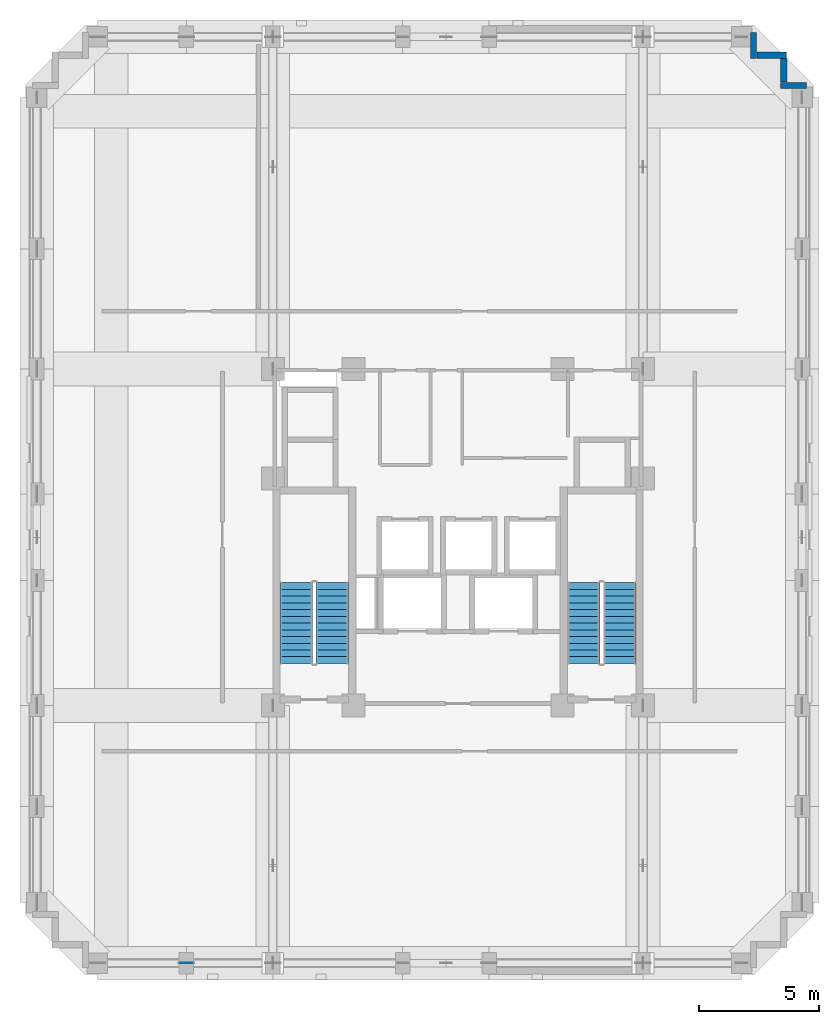
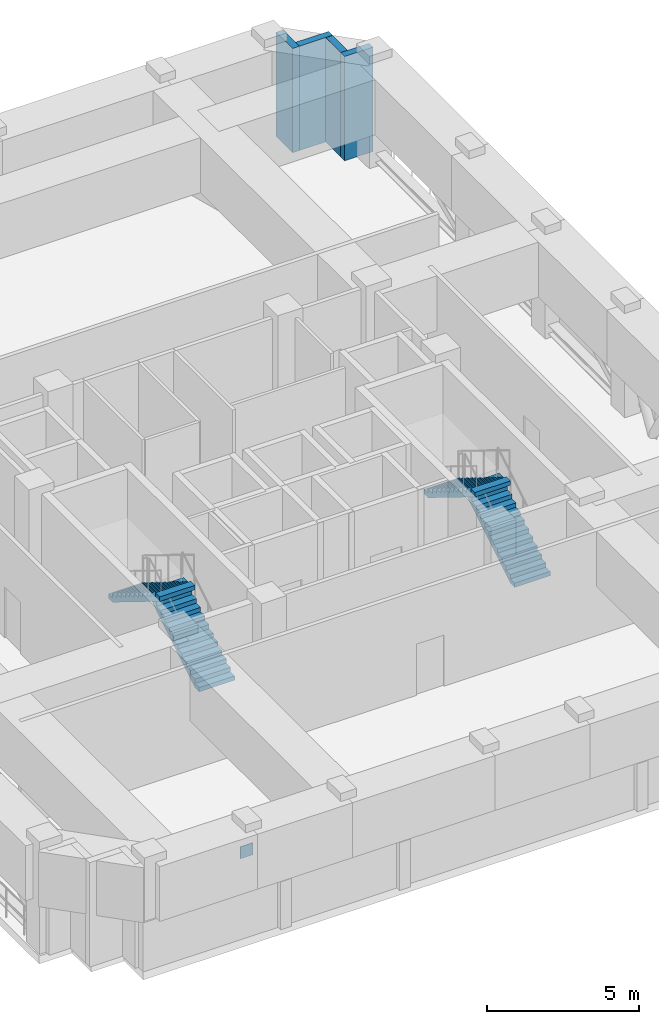
# One storey, part 5 of 12: 4 stair flights, 4 walls, 1 discrete accessory, 2 elements without a shape of their own.
"""IFC4 building model written with IfcOpenShell, lengths in metres."""

import ifcopenshell
import ifcopenshell.guid

model = None  # the IFC model being written
_history = None  # IfcOwnerHistory: only IFC2X3 demands one
_inside = {}  # id of a spatial element -> (the spatial element, [elements in it])
_under = {}  # id of a project, library or spatial element -> (it, [spatial elements below it])
_declared = {}  # id of a project -> (the project, [libraries it declares])
_typed = {}  # id of a type object -> (the type object, [elements of that type])
_made_of = {}  # id of a material, layer set ... -> (it, [elements and type objects made of it])


def new_model(schema):
    """Start an empty IFC model of exactly this schema.

    Asked for "IFC4X3", IfcOpenShell would pick the latest addendum, in which some entities
    have other attributes; the version numbers below select the first issue.
    IFC2X3 requires an IfcOwnerHistory on every rooted entity: one is made here for all.
    """
    global model, _history
    if schema == "IFC4X3":
        model = ifcopenshell.file(schema_version=(4, 3, 0, 0))
    else:
        model = ifcopenshell.file(schema=schema)
    _inside.clear()
    _under.clear()
    _declared.clear()
    _typed.clear()
    _made_of.clear()
    _history = None
    if model.schema == "IFC2X3":
        org = make("IfcOrganization", Name="unknown")
        user = make(
            "IfcPersonAndOrganization",
            ThePerson=make("IfcPerson", FamilyName="unknown"),
            TheOrganization=org,
        )
        app = make(
            "IfcApplication",
            ApplicationDeveloper=org,
            Version="unknown",
            ApplicationFullName="unknown",
            ApplicationIdentifier="unknown",
        )
        _history = make(
            "IfcOwnerHistory",
            OwningUser=user,
            OwningApplication=app,
            ChangeAction="ADDED",
            CreationDate=0,
        )
    return model


def make(cls, **values):
    """One entity of the class cls with the attributes given. An attribute that is None is left unset."""
    return model.create_entity(
        cls, **{name: value for name, value in values.items() if value is not None}
    )


def rooted(cls, **values):
    """An entity with a GlobalId (a new one), such as an element, a storey or a relation."""
    return make(cls, GlobalId=ifcopenshell.guid.new(), OwnerHistory=_history, **values)


def si_unit(unit_type, name, prefix=None):
    """IfcSIUnit, for example si_unit("LENGTHUNIT", "METRE", prefix="MILLI")."""
    return make("IfcSIUnit", UnitType=unit_type, Prefix=prefix, Name=name)


def derived_unit(unit_type, elements):
    """IfcDerivedUnit: a product of units, each with its exponent."""
    return make(
        "IfcDerivedUnit",
        Elements=[
            make("IfcDerivedUnitElement", Unit=unit, Exponent=power)
            for unit, power in elements
        ],
        UnitType=unit_type,
    )


def assignment(units):
    """IfcUnitAssignment: the units of a project."""
    return None if units is None else make("IfcUnitAssignment", Units=units)


def point(xyz):
    """IfcCartesianPoint."""
    return None if xyz is None else make("IfcCartesianPoint", Coordinates=xyz)


def direction(xyz):
    """IfcDirection."""
    return None if xyz is None else make("IfcDirection", DirectionRatios=xyz)


def frame(location, z_axis=None, x_axis=None):
    """IfcAxis2Placement3D, a coordinate frame: its origin and axes. An axis left out is left unset."""
    return make(
        "IfcAxis2Placement3D",
        Location=point(location),
        Axis=direction(z_axis),
        RefDirection=direction(x_axis),
    )


def frame_2d(location, x_axis=None):
    """IfcAxis2Placement2D, a coordinate frame in the plane: its origin and x axis."""
    return make(
        "IfcAxis2Placement2D", Location=point(location), RefDirection=direction(x_axis)
    )


def origin():
    """The frame at (0, 0, 0) with its axes left unset."""
    return frame((0.0, 0.0, 0.0))


def origin_2d():
    """The frame at (0, 0) in the plane with its x axis left unset."""
    return frame_2d((0.0, 0.0))


def place(relative_to, where):
    """IfcLocalPlacement: puts the frame where relative to a parent placement (None: the world)."""
    return make(
        "IfcLocalPlacement", PlacementRelTo=relative_to, RelativePlacement=where
    )


def context(
    kind, dimensions, precision=None, world=None, true_north=None, identifier=None
):
    """IfcGeometricRepresentationContext, for example the 3D "Model" context."""
    return make(
        "IfcGeometricRepresentationContext",
        ContextIdentifier=identifier,
        ContextType=kind,
        CoordinateSpaceDimension=dimensions,
        Precision=precision,
        WorldCoordinateSystem=world,
        TrueNorth=true_north,
    )


def subcontext(parent, identifier, kind, view, scale=None):
    """IfcGeometricRepresentationSubContext, for example "Body" below "Model"."""
    return make(
        "IfcGeometricRepresentationSubContext",
        ContextIdentifier=identifier,
        ContextType=kind,
        ParentContext=parent,
        TargetScale=scale,
        TargetView=view,
    )


def project(units=None, contexts=None):
    """IfcProject with its units and contexts."""
    return rooted(
        "IfcProject",
        Name="project",
        RepresentationContexts=contexts,
        UnitsInContext=assignment(units),
    )


def spatial(cls, under=None, at=None, **own):
    """A site, building, storey or space (cls), placed at a placement, below another one or the project."""
    s = rooted(cls, ObjectPlacement=at, **own)
    if under is not None:
        _under.setdefault(under.id(), (under, []))[1].append(s)
    return s


def polyline(points):
    """IfcPolyline through the points."""
    return make("IfcPolyline", Points=[point(p) for p in points])


def profile(cls, at=None, kind="AREA", **sizes):
    """A parametric profile (cls). Its sizes go by their IFC names, for example OverallWidth=200.0."""
    return make(cls, ProfileType=kind, Position=at, **sizes)


def rectangle(**sizes):
    """IfcRectangleProfileDef."""
    return profile("IfcRectangleProfileDef", **sizes)


def outline(outer, holes=None, kind="AREA"):
    """IfcArbitraryClosedProfileDef: a profile drawn as a closed curve; with holes, ...WithVoids."""
    if holes is None:
        return make("IfcArbitraryClosedProfileDef", ProfileType=kind, OuterCurve=outer)
    return make(
        "IfcArbitraryProfileDefWithVoids",
        ProfileType=kind,
        OuterCurve=outer,
        InnerCurves=holes,
    )


def extrude(swept, where, along, depth):
    """IfcExtrudedAreaSolid: the profile swept, set in the frame where, extruded along a direction by depth."""
    return make(
        "IfcExtrudedAreaSolid",
        SweptArea=swept,
        Position=where,
        ExtrudedDirection=direction(along),
        Depth=depth,
    )


def shape(context_of_items, identifier, shape_type, items):
    """IfcShapeRepresentation: the items that make up one representation, for example the "Body"."""
    return make(
        "IfcShapeRepresentation",
        ContextOfItems=context_of_items,
        RepresentationIdentifier=identifier,
        RepresentationType=shape_type,
        Items=items,
    )


def material(Name=None, Category=None):
    """IfcMaterial."""
    return make("IfcMaterial", Name=Name, Category=Category)


def layer(
    of_material, thickness, ventilated=None, Name=None, Category=None, Priority=None
):
    """IfcMaterialLayer: one layer of a wall or slab, of a material (None: an air gap)."""
    return make(
        "IfcMaterialLayer",
        Material=of_material,
        LayerThickness=thickness,
        IsVentilated=ventilated,
        Name=Name,
        Category=Category,
        Priority=Priority,
    )


def layer_set(layers, Name=None):
    """IfcMaterialLayerSet."""
    return make("IfcMaterialLayerSet", MaterialLayers=layers, LayerSetName=Name)


def made_of(thing, what):
    """Note that an element or type object is made of a material, layer set ...; save() writes the relation."""
    if what is not None:
        _made_of.setdefault(what.id(), (what, []))[1].append(thing)
    return thing


def type_object(cls, material=None, **own):
    """A type object (cls), such as IfcWallType, which elements share."""
    return made_of(rooted(cls, **own), material)


def element(
    cls,
    number,
    at=None,
    inside=None,
    cuts=None,
    type_object=None,
    material=None,
    context=None,
    identifier="Body",
    shape_type=None,
    held_by="IfcProductDefinitionShape",
    body=None,
    shapes=None,
    **own,
):
    """One element of the class cls, such as IfcWall. Its Tag is "e" and its number.

    at: its placement. inside: the storey or other place that contains it. cuts: it is an
    opening in that element (IfcRelVoidsElement). A single representation is given by context,
    identifier, shape_type and body (its items); several are given by shapes. held_by: the class
    of the entity that holds the representations. save() writes the other relations.
    """
    e = rooted(cls, Tag="e%d" % number, ObjectPlacement=at, **own)
    if body is not None:
        shapes = [shape(context, identifier, shape_type, body)]
    if shapes is not None:
        e.Representation = make(held_by, Representations=shapes)
    if inside is not None:
        _inside.setdefault(inside.id(), (inside, []))[1].append(e)
    if cuts is not None:
        rooted(
            "IfcRelVoidsElement", RelatingBuildingElement=cuts, RelatedOpeningElement=e
        )
    if type_object is not None:
        _typed.setdefault(type_object.id(), (type_object, []))[1].append(e)
    return made_of(e, material)


def aggregate(whole, parts):
    """IfcRelAggregates: a whole, such as a stair, and the parts it consists of."""
    return rooted("IfcRelAggregates", RelatingObject=whole, RelatedObjects=parts)


def save(model, path):
    """Write the relations noted so far, then the file.

    IfcRelAggregates (storeys below a building ...), IfcRelContainedInSpatialStructure (elements
    in a storey), IfcRelDefinesByType, IfcRelAssociatesMaterial and IfcRelDeclares: one each for
    every whole, place, type object, material and project.
    """
    for whole, parts in _under.values():
        aggregate(whole, parts)
    for where, things in _inside.values():
        rooted(
            "IfcRelContainedInSpatialStructure",
            RelatedElements=things,
            RelatingStructure=where,
        )
    for kind, things in _typed.values():
        rooted("IfcRelDefinesByType", RelatedObjects=things, RelatingType=kind)
    for what, things in _made_of.values():
        rooted("IfcRelAssociatesMaterial", RelatedObjects=things, RelatingMaterial=what)
    for by, libraries in _declared.values():
        rooted("IfcRelDeclares", RelatingContext=by, RelatedDefinitions=libraries)
    model.write(path)


model = new_model("IFC4")

# Units and contexts
model_context = context("Model", 3, precision=1e-05, world=origin(), true_north=direction((0.0, 1.0)))
body_context = subcontext(model_context, "Body", "Model", "MODEL_VIEW")
ifc_project = project(units=[si_unit("LENGTHUNIT", "METRE"), si_unit("AREAUNIT", "SQUARE_METRE"), si_unit("VOLUMEUNIT", "CUBIC_METRE"), si_unit("PLANEANGLEUNIT", "RADIAN"), si_unit("MASSUNIT", "GRAM", prefix="KILO"), derived_unit("THERMALTRANSMITTANCEUNIT", [(si_unit("MASSUNIT", "GRAM", prefix="KILO"), 1), (si_unit("TIMEUNIT", "SECOND"), -3), (si_unit("THERMODYNAMICTEMPERATUREUNIT", "KELVIN"), -1)])], contexts=[model_context])

# Site, building, storey
site_placement = place(None, origin())
site = spatial("IfcSite", under=ifc_project, at=site_placement, CompositionType="ELEMENT")
building_placement = place(site_placement, origin())
building = spatial("IfcBuilding", under=site, at=building_placement, Name="Korrvale Station Residences", CompositionType="ELEMENT")
storey_placement = place(building_placement, frame((0.0, 0.0, 169.89990234375)))
storey = spatial("IfcBuildingStorey", under=building, at=storey_placement, Name="L49", CompositionType="ELEMENT", Elevation=169.89990234375)

# Walls
ifc_material_1 = material(Name="Precast concrete C45/55", Category="concrete")
ifc_layer_1 = layer(ifc_material_1, 0.260009765625, Name="Precast concrete C45/55")
ifc_layer_set_1 = layer_set([ifc_layer_1], Name="Precast concrete C45/55")
wall_type = type_object("IfcWallType", Name="WAL-EXT-LOG260", PredefinedType="SOLIDWALL", material=ifc_layer_set_1)
wall_1_placement = place(storey_placement, frame((37.800048828125, 42.998046875, 0.0), z_axis=(0.0, 0.0, 1.0), x_axis=(0.0, -1.0, 0.0)))
element("IfcWall", 1, at=wall_1_placement, inside=storey, type_object=wall_type, Name="L49 Serrated Corner Precast Step NE-1", PredefinedType="SOLIDWALL", context=body_context, shape_type="SweptSolid", body=[
    extrude(rectangle(XDim=1.078125, YDim=0.260009765625, at=frame_2d((0.5390625, 0.0))), origin(), (0.0, 0.0, 1.0), 4.18017578125),
])
wall_2_placement = place(storey_placement, frame((37.931884765625, 42.050048828125, 0.0), z_axis=(0.0, 0.0, 1.0), x_axis=(1.0, 0.0, 0.0)))
element("IfcWall", 2, at=wall_2_placement, inside=storey, type_object=wall_type, Name="L49 Serrated Corner Precast Step NE-2", PredefinedType="SOLIDWALL", context=body_context, shape_type="SweptSolid", body=[
    extrude(rectangle(XDim=1.248046875, YDim=0.260009765625, at=frame_2d((0.6240234375, 0.0))), origin(), (0.0, 0.0, 1.0), 4.18017578125),
])
wall_3_placement = place(storey_placement, frame((39.050048828125, 41.91796875, 0.0), z_axis=(0.0, 0.0, 1.0), x_axis=(0.0, -1.0, 0.0)))
element("IfcWall", 3, at=wall_3_placement, inside=storey, type_object=wall_type, Name="L49 Serrated Corner Precast Step NE-3", PredefinedType="SOLIDWALL", context=body_context, shape_type="SweptSolid", body=[
    extrude(rectangle(XDim=0.986083984375, YDim=0.260009765625, at=frame_2d((0.4931640625, 0.0))), origin(), (0.0, 0.0, 1.0), 4.18017578125),
])
wall_4_placement = place(storey_placement, frame((38.919921875, 40.800048828125, 0.0), z_axis=(0.0, 0.0, 1.0), x_axis=(1.0, 0.0, 0.0)))
element("IfcWall", 4, at=wall_4_placement, inside=storey, type_object=wall_type, Name="L49 Serrated Corner Precast Step NE-4", PredefinedType="SOLIDWALL", context=body_context, shape_type="SweptSolid", body=[
    extrude(rectangle(XDim=1.078125, YDim=0.260009765625, at=frame_2d((0.5390625, 0.0))), origin(), (0.0, 0.0, 1.0), 4.18017578125),
])

# Stair, stair flights
ifc_material_2 = material(Name="Concrete C50/60", Category="concrete")
stair_type = type_object("IfcStairType", Name="STR-DL-1350-26R-1731", PredefinedType="HALF_TURN_STAIR", material=ifc_material_2)
stair_1_placement = place(storey_placement, origin())
stair_1 = element("IfcStair", 5, at=stair_1_placement, inside=storey, type_object=stair_type, Name="L49 Exit Stair 1", PredefinedType="HALF_TURN_STAIR")
stair_flight_type = type_object("IfcStairFlightType", Name="FLT-DL-1350-26R-1731", PredefinedType="STRAIGHT", material=ifc_material_2)
stair_flight_1_placement = place(storey_placement, frame((20.27490234375, 16.75, 0.0), z_axis=(0.0, 0.0, 1.0), x_axis=(0.0, 1.0, 0.0)))
stair_flight_1 = element("IfcStairFlight", 6, at=stair_flight_1_placement, type_object=stair_flight_type, Name="ST-1 flight 1", NumberOfRisers=13, NumberOfTreads=12, PredefinedType="STRAIGHT", RiserHeight=0.173076923, TreadLength=0.28, context=body_context, shape_type="SweptSolid", body=[
    extrude(outline(polyline([(0.0, 0.0), (0.0, 0.173095703125), (0.280029296875, 0.173095703125), (0.280029296875, 0.34619140625), (0.56005859375, 0.34619140625), (0.56005859375, 0.519287109375), (0.840087890625, 0.519287109375), (0.840087890625, 0.6923828125), (1.1201171875, 0.6923828125), (1.1201171875, 0.865478515625), (1.39990234375, 0.865478515625), (1.39990234375, 1.03857421875), (1.679931640625, 1.03857421875), (1.679931640625, 1.21142578125), (1.9599609375, 1.21142578125), (1.9599609375, 1.384521484375), (2.239990234375, 1.384521484375), (2.239990234375, 1.5576171875), (2.52001953125, 1.5576171875), (2.52001953125, 1.730712890625), (2.800048828125, 1.730712890625), (2.800048828125, 1.90380859375), (3.080078125, 1.90380859375), (3.080078125, 2.076904296875), (3.360107421875, 2.076904296875), (3.360107421875, 2.25), (3.360107421875, 1.900634765625), (0.28515625, 0.0), (0.0, 0.0)])), frame((0.0, 0.675048828125, 0.0), z_axis=(0.0, -1.0, 0.0), x_axis=(1.0, 0.0, 0.0)), (0.0, 0.0, 1.0), 1.35009765625),
])
stair_flight_2_placement = place(storey_placement, frame((18.77490234375, 20.110107421875, 2.25), z_axis=(0.0, 0.0, 1.0), x_axis=(0.0, -1.0, 0.0)))
stair_flight_2 = element("IfcStairFlight", 7, at=stair_flight_2_placement, type_object=stair_flight_type, Name="ST-1 flight 2", NumberOfRisers=13, NumberOfTreads=12, PredefinedType="STRAIGHT", RiserHeight=0.173076923, TreadLength=0.28, context=body_context, shape_type="SweptSolid", body=[
    extrude(outline(polyline([(0.0, 0.0), (0.0, 0.173095703125), (0.280029296875, 0.173095703125), (0.280029296875, 0.34619140625), (0.56005859375, 0.34619140625), (0.56005859375, 0.519287109375), (0.840087890625, 0.519287109375), (0.840087890625, 0.6923828125), (1.1201171875, 0.6923828125), (1.1201171875, 0.865478515625), (1.39990234375, 0.865478515625), (1.39990234375, 1.03857421875), (1.679931640625, 1.03857421875), (1.679931640625, 1.21142578125), (1.9599609375, 1.21142578125), (1.9599609375, 1.384521484375), (2.239990234375, 1.384521484375), (2.239990234375, 1.5576171875), (2.52001953125, 1.5576171875), (2.52001953125, 1.730712890625), (2.800048828125, 1.730712890625), (2.800048828125, 1.90380859375), (3.080078125, 1.90380859375), (3.080078125, 2.076904296875), (3.360107421875, 2.076904296875), (3.360107421875, 2.25), (3.360107421875, 1.900634765625), (0.28515625, 0.0), (0.0, 0.0)])), frame((0.0, 0.675048828125, 0.0), z_axis=(0.0, -1.0, 0.0), x_axis=(1.0, 0.0, 0.0)), (0.0, 0.0, 1.0), 1.35009765625),
])
aggregate(stair_1, [stair_flight_1, stair_flight_2])

stair_2_placement = place(storey_placement, origin())
stair_2 = element("IfcStair", 8, at=stair_2_placement, inside=storey, type_object=stair_type, Name="L49 Exit Stair 2", PredefinedType="HALF_TURN_STAIR")
stair_flight_3_placement = place(storey_placement, frame((32.22509765625, 16.75, 0.0), z_axis=(0.0, 0.0, 1.0), x_axis=(0.0, 1.0, 0.0)))
stair_flight_3 = element("IfcStairFlight", 9, at=stair_flight_3_placement, type_object=stair_flight_type, Name="ST-2 flight 1", NumberOfRisers=13, NumberOfTreads=12, PredefinedType="STRAIGHT", RiserHeight=0.173076923, TreadLength=0.28, context=body_context, shape_type="SweptSolid", body=[
    extrude(outline(polyline([(0.0, 0.0), (0.0, 0.173095703125), (0.280029296875, 0.173095703125), (0.280029296875, 0.34619140625), (0.56005859375, 0.34619140625), (0.56005859375, 0.519287109375), (0.840087890625, 0.519287109375), (0.840087890625, 0.6923828125), (1.1201171875, 0.6923828125), (1.1201171875, 0.865478515625), (1.39990234375, 0.865478515625), (1.39990234375, 1.03857421875), (1.679931640625, 1.03857421875), (1.679931640625, 1.21142578125), (1.9599609375, 1.21142578125), (1.9599609375, 1.384521484375), (2.239990234375, 1.384521484375), (2.239990234375, 1.5576171875), (2.52001953125, 1.5576171875), (2.52001953125, 1.730712890625), (2.800048828125, 1.730712890625), (2.800048828125, 1.90380859375), (3.080078125, 1.90380859375), (3.080078125, 2.076904296875), (3.360107421875, 2.076904296875), (3.360107421875, 2.25), (3.360107421875, 1.900634765625), (0.28515625, 0.0), (0.0, 0.0)])), frame((0.0, 0.675048828125, 0.0), z_axis=(0.0, -1.0, 0.0), x_axis=(1.0, 0.0, 0.0)), (0.0, 0.0, 1.0), 1.35009765625),
])
stair_flight_4_placement = place(storey_placement, frame((30.72509765625, 20.110107421875, 2.25), z_axis=(0.0, 0.0, 1.0), x_axis=(0.0, -1.0, 0.0)))
stair_flight_4 = element("IfcStairFlight", 10, at=stair_flight_4_placement, type_object=stair_flight_type, Name="ST-2 flight 2", NumberOfRisers=13, NumberOfTreads=12, PredefinedType="STRAIGHT", RiserHeight=0.173076923, TreadLength=0.28, context=body_context, shape_type="SweptSolid", body=[
    extrude(outline(polyline([(0.0, 0.0), (0.0, 0.173095703125), (0.280029296875, 0.173095703125), (0.280029296875, 0.34619140625), (0.56005859375, 0.34619140625), (0.56005859375, 0.519287109375), (0.840087890625, 0.519287109375), (0.840087890625, 0.6923828125), (1.1201171875, 0.6923828125), (1.1201171875, 0.865478515625), (1.39990234375, 0.865478515625), (1.39990234375, 1.03857421875), (1.679931640625, 1.03857421875), (1.679931640625, 1.21142578125), (1.9599609375, 1.21142578125), (1.9599609375, 1.384521484375), (2.239990234375, 1.384521484375), (2.239990234375, 1.5576171875), (2.52001953125, 1.5576171875), (2.52001953125, 1.730712890625), (2.800048828125, 1.730712890625), (2.800048828125, 1.90380859375), (3.080078125, 1.90380859375), (3.080078125, 2.076904296875), (3.360107421875, 2.076904296875), (3.360107421875, 2.25), (3.360107421875, 1.900634765625), (0.28515625, 0.0), (0.0, 0.0)])), frame((0.0, 0.675048828125, 0.0), z_axis=(0.0, -1.0, 0.0), x_axis=(1.0, 0.0, 0.0)), (0.0, 0.0, 1.0), 1.35009765625),
])
aggregate(stair_2, [stair_flight_3, stair_flight_4])

# Discrete accessory
ifc_material_3 = material(Name="Steel S355", Category="steel")
ifc_layer_2 = layer(ifc_material_3, 0.02490234375, Name="Steel S355")
ifc_layer_set_2 = layer_set([ifc_layer_2], Name="Steel S355")
discrete_accessory_type = type_object("IfcDiscreteAccessoryType", Name="ACC-GUSSET-25", PredefinedType="BRACKET", material=ifc_layer_set_2)
discrete_accessory_placement = place(storey_placement, frame((14.199951171875, 4.280029296875, 2.860107421875), z_axis=(0.0, 0.0, 1.0), x_axis=(1.0, 0.0, 0.0)))
element("IfcDiscreteAccessory", 11, at=discrete_accessory_placement, inside=storey, type_object=discrete_accessory_type, Name="L49 Belt Truss Top Gusset Connection 01", PredefinedType="BRACKET", context=body_context, shape_type="SweptSolid", body=[
    extrude(rectangle(XDim=0.47998046875, YDim=0.02490234375, at=origin_2d()), origin(), (0.0, 0.0, 1.0), 0.47998046875),
])

save(model, "model.ifc")
